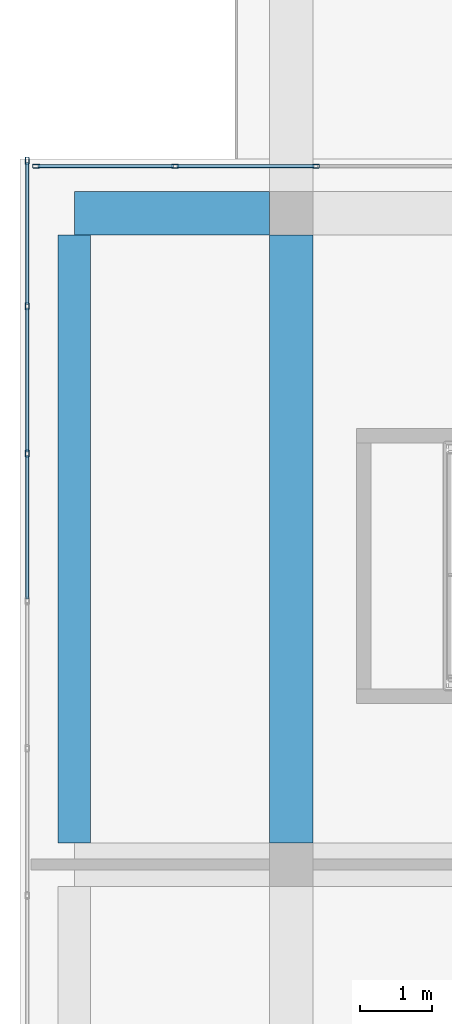
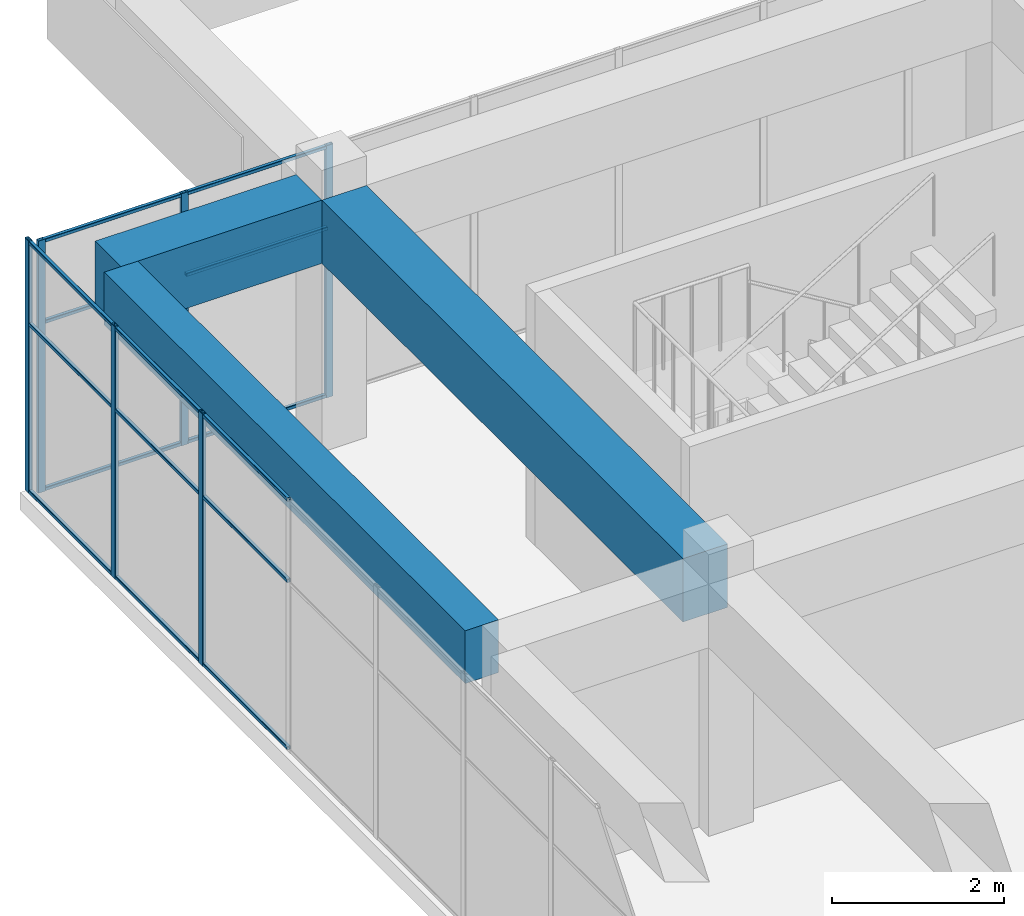
# One storey, part 21 of 35: 21 members, 3 beams, 2 elements without a shape of their own.
"""IFC4 building model written with IfcOpenShell, lengths in metres."""

from ifc_helpers import new_model, si_unit, direction, frame, origin, origin_2d, place, context, subcontext, project, spatial, rectangle, hollow_rectangle, extrude, material, layer, layer_set, material_profile, profile_set, type_object, element, aggregate, save


model = new_model("IFC4")

# Units and contexts
model_context = context("Model", 3, precision=1e-05, world=origin(), true_north=direction((0.0, 1.0)))
body_context = subcontext(model_context, "Body", "Model", "MODEL_VIEW")
ifc_project = project(units=[si_unit("LENGTHUNIT", "METRE"), si_unit("AREAUNIT", "SQUARE_METRE"), si_unit("VOLUMEUNIT", "CUBIC_METRE"), si_unit("PLANEANGLEUNIT", "RADIAN"), si_unit("MASSUNIT", "GRAM", prefix="KILO")], contexts=[model_context])

# Site, building, storey
site_placement = place(None, origin())
site = spatial("IfcSite", under=ifc_project, at=site_placement, CompositionType="ELEMENT")
building_placement = place(site_placement, origin())
building = spatial("IfcBuilding", under=site, at=building_placement, Name="Tuart Plaza Theatre", CompositionType="ELEMENT")
storey_placement = place(building_placement, frame((0.0, 0.0, 49.5)))
storey = spatial("IfcBuildingStorey", under=building, at=storey_placement, Name="L12", CompositionType="ELEMENT", Elevation=49.5)

# Beams
ifc_material_1 = material(Name="Concrete N40 (40 MPa)", Category="concrete")
ifc_material_profile_1 = material_profile(ifc_material_1, rectangle(XDim=0.449951171875, YDim=0.75, at=origin_2d()), Name="BEAM 450x750 Concrete N40 (40 MPa)")
ifc_profile_set_1 = profile_set([ifc_material_profile_1], Name="Concrete N40 (40 MPa)")
beam_type_1 = type_object("IfcBeamType", Name="BEAM 450x750 Concrete N40 (40 MPa)", PredefinedType="BEAM", material=ifc_profile_set_1)
beam_1_placement = place(storey_placement, frame((111.0, 83.300048828125, 3.205078125), z_axis=(0.0, 1.0, 0.0), x_axis=(-1.0, 0.0, 0.0)))
element("IfcBeam", 1, at=beam_1_placement, inside=storey, type_object=beam_type_1, Name="RB286", PredefinedType="BEAM", context=body_context, shape_type="SweptSolid", body=[
    extrude(rectangle(XDim=0.449951171875, YDim=0.75, at=origin_2d()), origin(), (0.0, 0.0, 1.0), 8.39990234375),
])
ifc_material_2 = material(Name="Concrete N40 (40 MPa)", Category="concrete")
ifc_material_profile_2 = material_profile(ifc_material_2, rectangle(XDim=0.60009765625, YDim=0.89990234375, at=origin_2d()), Name="BEAM 600x900 Concrete N40 (40 MPa)")
ifc_profile_set_2 = profile_set([ifc_material_profile_2], Name="Concrete N40 (40 MPa)")
beam_type_2 = type_object("IfcBeamType", Name="BEAM 600x900 Concrete N40 (40 MPa)", PredefinedType="BEAM", material=ifc_profile_set_2)
beam_2_placement = place(storey_placement, frame((111.0, 92.0, 3.1298828125), z_axis=(1.0, 0.0, 0.0), x_axis=(0.0, 1.0, 0.0)))
element("IfcBeam", 2, at=beam_2_placement, inside=storey, type_object=beam_type_2, Name="RB288", PredefinedType="BEAM", context=body_context, shape_type="SweptSolid", body=[
    extrude(rectangle(XDim=0.60009765625, YDim=0.89990234375, at=origin_2d()), origin(), (0.0, 0.0, 1.0), 2.699951171875),
])
beam_3_placement = place(storey_placement, frame((114.0, 83.300048828125, 3.1298828125), z_axis=(0.0, 1.0, 0.0), x_axis=(-1.0, 0.0, 0.0)))
element("IfcBeam", 3, at=beam_3_placement, inside=storey, type_object=beam_type_2, Name="RB293", PredefinedType="BEAM", context=body_context, shape_type="SweptSolid", body=[
    extrude(rectangle(XDim=0.60009765625, YDim=0.89990234375, at=origin_2d()), origin(), (0.0, 0.0, 1.0), 8.39990234375),
])

# Curtain wall, members
ifc_material_3 = material(Name="Aluminium and glass", Category="aluminium")
ifc_layer = layer(ifc_material_3, 0.10009765625)
ifc_layer_set = layer_set([ifc_layer], Name="CURTAIN WALL 2000 module")
curtain_wall_type = type_object("IfcCurtainWallType", Name="CURTAIN WALL 2000 module", PredefinedType="NOTDEFINED", material=ifc_layer_set)
curtain_wall_1_placement = place(storey_placement, origin())
curtain_wall_1 = element("IfcCurtainWall", 4, at=curtain_wall_1_placement, inside=storey, type_object=curtain_wall_type, Name="CW105", PredefinedType="NOTDEFINED")
ifc_material_4 = material(Name="Aluminium 6063-T5", Category="aluminium")
ifc_material_profile_3 = material_profile(ifc_material_4, hollow_rectangle(XDim=0.050048828125, YDim=0.10009765625, WallThickness=0.00390625, InnerFilletRadius=0.00390625, OuterFilletRadius=0.008056640625, at=origin_2d()), Name="RHS 100x50x4")
ifc_profile_set_3 = profile_set([ifc_material_profile_3], Name="Aluminium 6063-T5")
member_type_1 = type_object("IfcMemberType", Name="MULLION RHS 100x50x4", PredefinedType="MULLION", material=ifc_profile_set_3)
member_1_placement = place(storey_placement, frame((114.33740234375, 92.64990234375, 0.0), z_axis=(0.0, 0.0, 1.0), x_axis=(0.0, -1.0, 0.0)))
member_1 = element("IfcMember", 5, at=member_1_placement, type_object=member_type_1, Name="CW105 mullion 15", PredefinedType="MULLION", context=body_context, shape_type="SweptSolid", body=[
    extrude(hollow_rectangle(XDim=0.050048828125, YDim=0.10009765625, WallThickness=0.00390625, InnerFilletRadius=0.00390625, OuterFilletRadius=0.008056640625, at=origin_2d()), origin(), (0.0, 0.0, 1.0), 3.580078125),
])
member_2_placement = place(storey_placement, frame((112.393798828125, 92.64990234375, 0.0), z_axis=(0.0, 0.0, 1.0), x_axis=(0.0, -1.0, 0.0)))
member_2 = element("IfcMember", 6, at=member_2_placement, type_object=member_type_1, Name="CW105 mullion 16", PredefinedType="MULLION", context=body_context, shape_type="SweptSolid", body=[
    extrude(hollow_rectangle(XDim=0.050048828125, YDim=0.10009765625, WallThickness=0.00390625, InnerFilletRadius=0.00390625, OuterFilletRadius=0.008056640625, at=origin_2d()), origin(), (0.0, 0.0, 1.0), 3.580078125),
])
member_3_placement = place(storey_placement, frame((110.47509765625, 92.64990234375, 0.0), z_axis=(0.0, 0.0, 1.0), x_axis=(0.0, -1.0, 0.0)))
member_3 = element("IfcMember", 7, at=member_3_placement, type_object=member_type_1, Name="CW105 mullion 17", PredefinedType="MULLION", context=body_context, shape_type="SweptSolid", body=[
    extrude(hollow_rectangle(XDim=0.050048828125, YDim=0.10009765625, WallThickness=0.00390625, InnerFilletRadius=0.00390625, OuterFilletRadius=0.008056640625, at=origin_2d()), origin(), (0.0, 0.0, 1.0), 3.580078125),
])

curtain_wall_2_placement = place(storey_placement, origin())
curtain_wall_2 = element("IfcCurtainWall", 8, at=curtain_wall_2_placement, inside=storey, type_object=curtain_wall_type, Name="CW106", PredefinedType="NOTDEFINED")
member_4_placement = place(storey_placement, frame((110.35009765625, 92.72509765625, 0.0), z_axis=(0.0, 0.0, 1.0), x_axis=(1.0, 0.0, 0.0)))
member_4 = element("IfcMember", 9, at=member_4_placement, type_object=member_type_1, Name="CW106 mullion 1", PredefinedType="MULLION", context=body_context, shape_type="SweptSolid", body=[
    extrude(hollow_rectangle(XDim=0.050048828125, YDim=0.10009765625, WallThickness=0.00390625, InnerFilletRadius=0.00390625, OuterFilletRadius=0.008056640625, at=origin_2d()), origin(), (0.0, 0.0, 1.0), 3.580078125),
])
member_5_placement = place(storey_placement, frame((110.35009765625, 90.71435546875, 0.0), z_axis=(0.0, 0.0, 1.0), x_axis=(1.0, 0.0, 0.0)))
member_5 = element("IfcMember", 10, at=member_5_placement, type_object=member_type_1, Name="CW106 mullion 2", PredefinedType="MULLION", context=body_context, shape_type="SweptSolid", body=[
    extrude(hollow_rectangle(XDim=0.050048828125, YDim=0.10009765625, WallThickness=0.00390625, InnerFilletRadius=0.00390625, OuterFilletRadius=0.008056640625, at=origin_2d()), origin(), (0.0, 0.0, 1.0), 3.580078125),
])
member_6_placement = place(storey_placement, frame((110.35009765625, 88.678466796875, 0.0), z_axis=(0.0, 0.0, 1.0), x_axis=(1.0, 0.0, 0.0)))
member_6 = element("IfcMember", 11, at=member_6_placement, type_object=member_type_1, Name="CW106 mullion 3", PredefinedType="MULLION", context=body_context, shape_type="SweptSolid", body=[
    extrude(hollow_rectangle(XDim=0.050048828125, YDim=0.10009765625, WallThickness=0.00390625, InnerFilletRadius=0.00390625, OuterFilletRadius=0.008056640625, at=origin_2d()), origin(), (0.0, 0.0, 1.0), 3.580078125),
])

# Member
ifc_material_5 = material(Name="Aluminium 6063-T5", Category="aluminium")
ifc_material_profile_4 = material_profile(ifc_material_5, hollow_rectangle(XDim=0.050048828125, YDim=0.050048828125, WallThickness=0.00390625, InnerFilletRadius=0.00390625, OuterFilletRadius=0.008056640625, at=origin_2d()), Name="RHS 50x50x4")
ifc_profile_set_4 = profile_set([ifc_material_profile_4], Name="Aluminium 6063-T5")
member_type_2 = type_object("IfcMemberType", Name="TRANSOM RHS 50x50x4", PredefinedType="USERDEFINED", material=ifc_profile_set_4)
member_7_placement = place(storey_placement, frame((114.3125, 92.64990234375, 0.02490234375), z_axis=(-1.0, 0.0, 0.0), x_axis=(0.0, -1.0, 0.0)))
member_7 = element("IfcMember", 12, at=member_7_placement, type_object=member_type_2, Name="CW105 transom 15.1", ObjectType="TRANSOM", PredefinedType="USERDEFINED", context=body_context, shape_type="SweptSolid", body=[
    extrude(hollow_rectangle(XDim=0.050048828125, YDim=0.050048828125, WallThickness=0.00390625, InnerFilletRadius=0.00390625, OuterFilletRadius=0.008056640625, at=origin_2d()), origin(), (0.0, 0.0, 1.0), 1.893798828125),
])

member_8_placement = place(storey_placement, frame((114.3125, 92.64990234375, 2.39990234375), z_axis=(-1.0, 0.0, 0.0), x_axis=(0.0, -1.0, 0.0)))
member_8 = element("IfcMember", 13, at=member_8_placement, type_object=member_type_2, Name="CW105 transom 15.2", ObjectType="TRANSOM", PredefinedType="USERDEFINED", context=body_context, shape_type="SweptSolid", body=[
    extrude(hollow_rectangle(XDim=0.050048828125, YDim=0.050048828125, WallThickness=0.00390625, InnerFilletRadius=0.00390625, OuterFilletRadius=0.008056640625, at=origin_2d()), origin(), (0.0, 0.0, 1.0), 1.893798828125),
])

member_9_placement = place(storey_placement, frame((114.3125, 92.64990234375, 3.554931640625), z_axis=(-1.0, 0.0, 0.0), x_axis=(0.0, -1.0, 0.0)))
member_9 = element("IfcMember", 14, at=member_9_placement, type_object=member_type_2, Name="CW105 transom 15.3", ObjectType="TRANSOM", PredefinedType="USERDEFINED", context=body_context, shape_type="SweptSolid", body=[
    extrude(hollow_rectangle(XDim=0.050048828125, YDim=0.050048828125, WallThickness=0.00390625, InnerFilletRadius=0.00390625, OuterFilletRadius=0.008056640625, at=origin_2d()), origin(), (0.0, 0.0, 1.0), 1.893798828125),
])

member_10_placement = place(storey_placement, frame((112.36865234375, 92.64990234375, 0.02490234375), z_axis=(-1.0, 0.0, 0.0), x_axis=(0.0, -1.0, 0.0)))
member_10 = element("IfcMember", 15, at=member_10_placement, type_object=member_type_2, Name="CW105 transom 16.1", ObjectType="TRANSOM", PredefinedType="USERDEFINED", context=body_context, shape_type="SweptSolid", body=[
    extrude(hollow_rectangle(XDim=0.050048828125, YDim=0.050048828125, WallThickness=0.00390625, InnerFilletRadius=0.00390625, OuterFilletRadius=0.008056640625, at=origin_2d()), origin(), (0.0, 0.0, 1.0), 1.86865234375),
])

member_11_placement = place(storey_placement, frame((112.36865234375, 92.64990234375, 2.39990234375), z_axis=(-1.0, 0.0, 0.0), x_axis=(0.0, -1.0, 0.0)))
member_11 = element("IfcMember", 16, at=member_11_placement, type_object=member_type_2, Name="CW105 transom 16.2", ObjectType="TRANSOM", PredefinedType="USERDEFINED", context=body_context, shape_type="SweptSolid", body=[
    extrude(hollow_rectangle(XDim=0.050048828125, YDim=0.050048828125, WallThickness=0.00390625, InnerFilletRadius=0.00390625, OuterFilletRadius=0.008056640625, at=origin_2d()), origin(), (0.0, 0.0, 1.0), 1.86865234375),
])

member_12_placement = place(storey_placement, frame((112.36865234375, 92.64990234375, 3.554931640625), z_axis=(-1.0, 0.0, 0.0), x_axis=(0.0, -1.0, 0.0)))
member_12 = element("IfcMember", 17, at=member_12_placement, type_object=member_type_2, Name="CW105 transom 16.3", ObjectType="TRANSOM", PredefinedType="USERDEFINED", context=body_context, shape_type="SweptSolid", body=[
    extrude(hollow_rectangle(XDim=0.050048828125, YDim=0.050048828125, WallThickness=0.00390625, InnerFilletRadius=0.00390625, OuterFilletRadius=0.008056640625, at=origin_2d()), origin(), (0.0, 0.0, 1.0), 1.86865234375),
])

aggregate(curtain_wall_1, [member_1, member_2, member_3, member_7, member_8, member_9, member_10, member_11, member_12])

member_13_placement = place(storey_placement, frame((110.35009765625, 92.699951171875, 0.02490234375), z_axis=(0.0, -1.0, 0.0), x_axis=(1.0, 0.0, 0.0)))
member_13 = element("IfcMember", 18, at=member_13_placement, type_object=member_type_2, Name="CW106 transom 1.1", ObjectType="TRANSOM", PredefinedType="USERDEFINED", context=body_context, shape_type="SweptSolid", body=[
    extrude(hollow_rectangle(XDim=0.050048828125, YDim=0.050048828125, WallThickness=0.00390625, InnerFilletRadius=0.00390625, OuterFilletRadius=0.008056640625, at=origin_2d()), origin(), (0.0, 0.0, 1.0), 1.960693359375),
])

member_14_placement = place(storey_placement, frame((110.35009765625, 92.699951171875, 2.39990234375), z_axis=(0.0, -1.0, 0.0), x_axis=(1.0, 0.0, 0.0)))
member_14 = element("IfcMember", 19, at=member_14_placement, type_object=member_type_2, Name="CW106 transom 1.2", ObjectType="TRANSOM", PredefinedType="USERDEFINED", context=body_context, shape_type="SweptSolid", body=[
    extrude(hollow_rectangle(XDim=0.050048828125, YDim=0.050048828125, WallThickness=0.00390625, InnerFilletRadius=0.00390625, OuterFilletRadius=0.008056640625, at=origin_2d()), origin(), (0.0, 0.0, 1.0), 1.960693359375),
])

member_15_placement = place(storey_placement, frame((110.35009765625, 92.699951171875, 3.554931640625), z_axis=(0.0, -1.0, 0.0), x_axis=(1.0, 0.0, 0.0)))
member_15 = element("IfcMember", 20, at=member_15_placement, type_object=member_type_2, Name="CW106 transom 1.3", ObjectType="TRANSOM", PredefinedType="USERDEFINED", context=body_context, shape_type="SweptSolid", body=[
    extrude(hollow_rectangle(XDim=0.050048828125, YDim=0.050048828125, WallThickness=0.00390625, InnerFilletRadius=0.00390625, OuterFilletRadius=0.008056640625, at=origin_2d()), origin(), (0.0, 0.0, 1.0), 1.960693359375),
])

member_16_placement = place(storey_placement, frame((110.35009765625, 90.689208984375, 0.02490234375), z_axis=(0.0, -1.0, 0.0), x_axis=(1.0, 0.0, 0.0)))
member_16 = element("IfcMember", 21, at=member_16_placement, type_object=member_type_2, Name="CW106 transom 2.1", ObjectType="TRANSOM", PredefinedType="USERDEFINED", context=body_context, shape_type="SweptSolid", body=[
    extrude(hollow_rectangle(XDim=0.050048828125, YDim=0.050048828125, WallThickness=0.00390625, InnerFilletRadius=0.00390625, OuterFilletRadius=0.008056640625, at=origin_2d()), origin(), (0.0, 0.0, 1.0), 1.985595703125),
])

member_17_placement = place(storey_placement, frame((110.35009765625, 90.689208984375, 2.39990234375), z_axis=(0.0, -1.0, 0.0), x_axis=(1.0, 0.0, 0.0)))
member_17 = element("IfcMember", 22, at=member_17_placement, type_object=member_type_2, Name="CW106 transom 2.2", ObjectType="TRANSOM", PredefinedType="USERDEFINED", context=body_context, shape_type="SweptSolid", body=[
    extrude(hollow_rectangle(XDim=0.050048828125, YDim=0.050048828125, WallThickness=0.00390625, InnerFilletRadius=0.00390625, OuterFilletRadius=0.008056640625, at=origin_2d()), origin(), (0.0, 0.0, 1.0), 1.985595703125),
])

member_18_placement = place(storey_placement, frame((110.35009765625, 90.689208984375, 3.554931640625), z_axis=(0.0, -1.0, 0.0), x_axis=(1.0, 0.0, 0.0)))
member_18 = element("IfcMember", 23, at=member_18_placement, type_object=member_type_2, Name="CW106 transom 2.3", ObjectType="TRANSOM", PredefinedType="USERDEFINED", context=body_context, shape_type="SweptSolid", body=[
    extrude(hollow_rectangle(XDim=0.050048828125, YDim=0.050048828125, WallThickness=0.00390625, InnerFilletRadius=0.00390625, OuterFilletRadius=0.008056640625, at=origin_2d()), origin(), (0.0, 0.0, 1.0), 1.985595703125),
])

member_19_placement = place(storey_placement, frame((110.35009765625, 88.653564453125, 0.02490234375), z_axis=(0.0, -1.0, 0.0), x_axis=(1.0, 0.0, 0.0)))
member_19 = element("IfcMember", 24, at=member_19_placement, type_object=member_type_2, Name="CW106 transom 3.1", ObjectType="TRANSOM", PredefinedType="USERDEFINED", context=body_context, shape_type="SweptSolid", body=[
    extrude(hollow_rectangle(XDim=0.050048828125, YDim=0.050048828125, WallThickness=0.00390625, InnerFilletRadius=0.00390625, OuterFilletRadius=0.008056640625, at=origin_2d()), origin(), (0.0, 0.0, 1.0), 1.985595703125),
])

member_20_placement = place(storey_placement, frame((110.35009765625, 88.653564453125, 2.39990234375), z_axis=(0.0, -1.0, 0.0), x_axis=(1.0, 0.0, 0.0)))
member_20 = element("IfcMember", 25, at=member_20_placement, type_object=member_type_2, Name="CW106 transom 3.2", ObjectType="TRANSOM", PredefinedType="USERDEFINED", context=body_context, shape_type="SweptSolid", body=[
    extrude(hollow_rectangle(XDim=0.050048828125, YDim=0.050048828125, WallThickness=0.00390625, InnerFilletRadius=0.00390625, OuterFilletRadius=0.008056640625, at=origin_2d()), origin(), (0.0, 0.0, 1.0), 1.985595703125),
])

member_21_placement = place(storey_placement, frame((110.35009765625, 88.653564453125, 3.554931640625), z_axis=(0.0, -1.0, 0.0), x_axis=(1.0, 0.0, 0.0)))
member_21 = element("IfcMember", 26, at=member_21_placement, type_object=member_type_2, Name="CW106 transom 3.3", ObjectType="TRANSOM", PredefinedType="USERDEFINED", context=body_context, shape_type="SweptSolid", body=[
    extrude(hollow_rectangle(XDim=0.050048828125, YDim=0.050048828125, WallThickness=0.00390625, InnerFilletRadius=0.00390625, OuterFilletRadius=0.008056640625, at=origin_2d()), origin(), (0.0, 0.0, 1.0), 1.985595703125),
])

aggregate(curtain_wall_2, [member_4, member_5, member_6, member_13, member_14, member_15, member_16, member_17, member_18, member_19, member_20, member_21])

save(model, "model.ifc")
